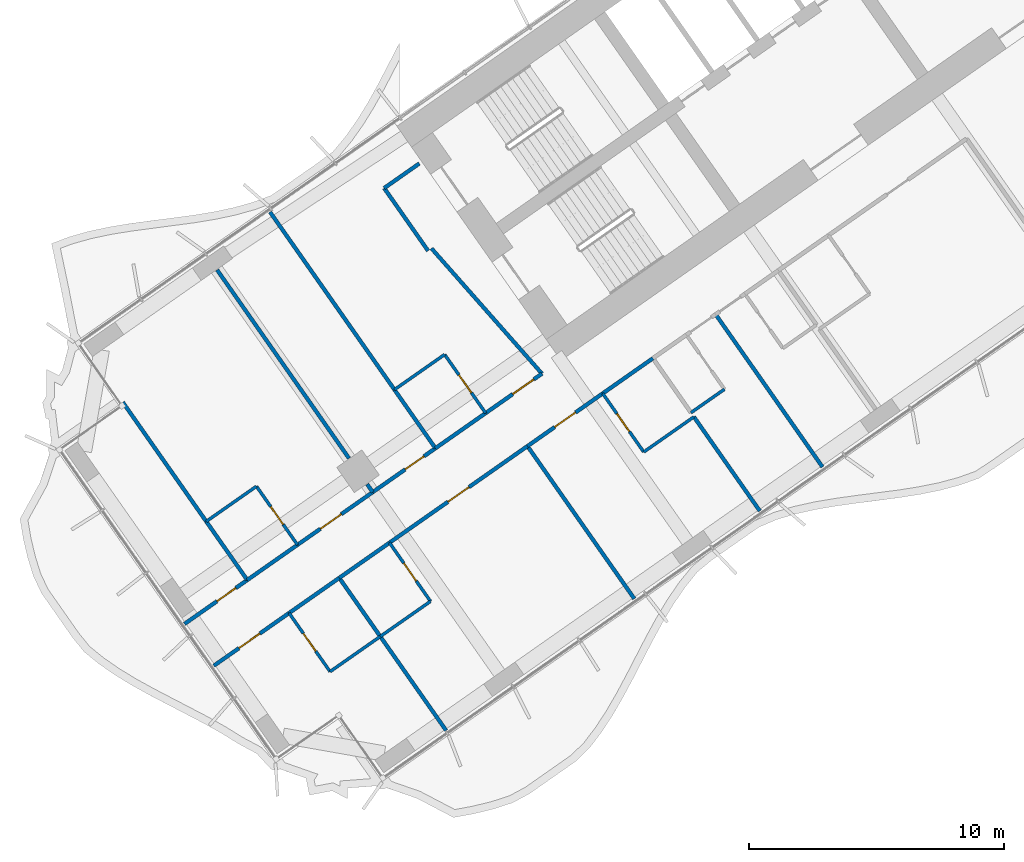
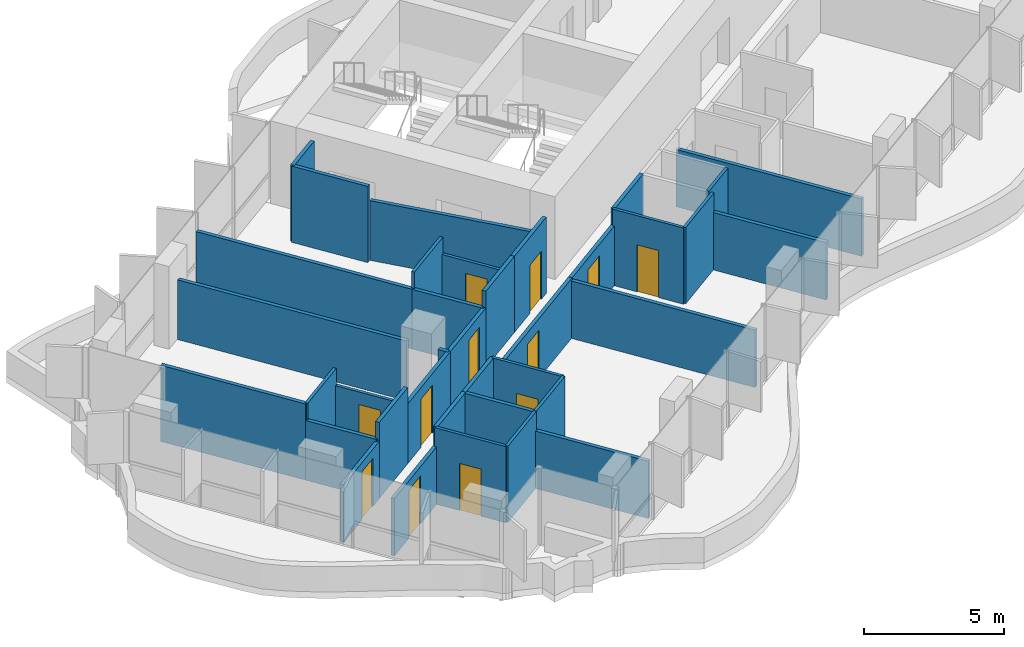
# One storey, part 12 of 23: 37 walls, 12 doors, 12 openings.
"""IFC4 building model written with IfcOpenShell, lengths in metres."""

from ifc_helpers import new_model, si_unit, direction, frame, frame_2d, origin, place, context, subcontext, project, spatial, rectangle, extrude, material, layer, layer_set, type_object, element, fill, save


model = new_model("IFC4")

# Units and contexts
model_context = context("Model", 3, precision=1e-05, world=origin(), true_north=direction((0.0, 1.0)))
body_context = subcontext(model_context, "Body", "Model", "MODEL_VIEW")
ifc_project = project(units=[si_unit("LENGTHUNIT", "METRE"), si_unit("AREAUNIT", "SQUARE_METRE"), si_unit("VOLUMEUNIT", "CUBIC_METRE"), si_unit("PLANEANGLEUNIT", "RADIAN"), si_unit("MASSUNIT", "GRAM", prefix="KILO")], contexts=[model_context])

# Site, building, storey
site_placement = place(None, origin())
site = spatial("IfcSite", under=ifc_project, at=site_placement, CompositionType="ELEMENT")
building_placement = place(site_placement, origin())
building = spatial("IfcBuilding", under=site, at=building_placement, Name="Tel Ilan Convention Tower", CompositionType="ELEMENT")
storey_placement = place(building_placement, frame((0.0, 0.0, 104.89990234375)))
storey = spatial("IfcBuildingStorey", under=building, at=storey_placement, Name="L22", CompositionType="ELEMENT", Elevation=104.89990234375)

# Wall, opening, door
ifc_material_1 = material(Name="Plasterboard on Steel Studs", Category="steel")
ifc_layer_1 = layer(ifc_material_1, 0.14990234375)
ifc_layer_set_1 = layer_set([ifc_layer_1], Name="Fire-rated Partition 150 EI 60")
wall_type_1 = type_object("IfcWallType", Name="Fire-rated Partition 150 EI 60", PredefinedType="PARTITIONING", material=ifc_layer_set_1)
wall_1_placement = place(storey_placement, frame((-24.493408203125, -18.37109375, 0.0), z_axis=(0.0, 0.0, 1.0), x_axis=(0.819176640776, 0.573541307325, 0.0)))
wall_1 = element("IfcWall", 1, at=wall_1_placement, inside=storey, type_object=wall_type_1, Name="Partition 016", PredefinedType="PARTITIONING", context=body_context, shape_type="SweptSolid", body=[
    extrude(rectangle(XDim=2.697509765625, YDim=0.14990234375, at=frame_2d((1.3486328125, 0.0))), origin(), (0.0, 0.0, 1.0), 3.320068359375),
])
opening_1_placement = place(wall_1_placement, frame((1.301025390625, 0.0, 0.0)))
opening_1 = element("IfcOpeningElement", 2, at=opening_1_placement, cuts=wall_1, Name="Opening L21-014", PredefinedType="OPENING", context=body_context, shape_type="SweptSolid", body=[
    extrude(rectangle(XDim=1.0, YDim=2.10009765625, at=frame_2d((0.5, 1.050048828125))), frame((0.0, 0.0849609375, 0.0), z_axis=(0.0, -1.0, 0.0), x_axis=(1.0, 0.0, 0.0)), (0.0, 0.0, 1.0), 0.169921875),
])
ifc_material_2 = material(Name="Timber Door Leaf in Steel Frame", Category="steel")
door_type_1 = type_object("IfcDoorType", Name="Hotel Room Entrance Fire Door 1000x2100", OperationType="NOTDEFINED", PredefinedType="DOOR", material=ifc_material_2)
door_1_placement = place(opening_1_placement, origin())
door_1 = element("IfcDoor", 3, at=door_1_placement, inside=storey, type_object=door_type_1, Name="Door L21-014", OperationType="SINGLE_SWING_RIGHT", OverallHeight=2.10009765625, OverallWidth=1.0, PredefinedType="DOOR", context=body_context, shape_type="SweptSolid", body=[
    extrude(rectangle(XDim=1.0, YDim=2.10009765625, at=frame_2d((0.5, 1.050048828125))), frame((0.0, 0.02490234375, 0.0), z_axis=(0.0, -1.0, 0.0), x_axis=(1.0, 0.0, 0.0)), (0.0, 0.0, 1.0), 0.050048828125),
])
fill(opening_1, door_1)

# Wall
wall_2_placement = place(storey_placement, frame((-26.460205078125, -19.748291015625, 0.0), z_axis=(0.0, 0.0, 1.0), x_axis=(0.819179439794, 0.573537309527, 0.0)))
element("IfcWall", 4, at=wall_2_placement, inside=storey, type_object=wall_type_1, Name="Partition 017", PredefinedType="PARTITIONING", context=body_context, shape_type="SweptSolid", body=[
    extrude(rectangle(XDim=2.404296875, YDim=0.14990234375, at=frame_2d((1.2021484375, 0.0))), origin(), (0.0, 0.0, 1.0), 3.320068359375),
])

# Wall, opening, door
wall_3_placement = place(storey_placement, frame((-28.91748046875, -21.468994140625, 0.0), z_axis=(0.0, 0.0, 1.0), x_axis=(0.81916700466, 0.573555070134, 0.0)))
wall_3 = element("IfcWall", 5, at=wall_3_placement, inside=storey, type_object=wall_type_1, Name="Partition 018", PredefinedType="PARTITIONING", context=body_context, shape_type="SweptSolid", body=[
    extrude(rectangle(XDim=3.00390625, YDim=0.14990234375, at=frame_2d((1.501953125, 0.0))), origin(), (0.0, 0.0, 1.0), 2.60009765625),
])
opening_2_placement = place(wall_3_placement, frame((1.552001953125, 0.0, 0.0)))
opening_2 = element("IfcOpeningElement", 6, at=opening_2_placement, cuts=wall_3, Name="Opening L21-015", PredefinedType="OPENING", context=body_context, shape_type="SweptSolid", body=[
    extrude(rectangle(XDim=0.89990234375, YDim=2.10009765625, at=frame_2d((0.449951171875, 1.050048828125))), frame((0.0, 0.0849609375, 0.0), z_axis=(0.0, -1.0, 0.0), x_axis=(1.0, 0.0, 0.0)), (0.0, 0.0, 1.0), 0.169921875),
])
ifc_material_3 = material(Name="Timber Door Leaf in Steel Frame", Category="steel")
door_type_2 = type_object("IfcDoorType", Name="Room Fire Door 900x2100", OperationType="NOTDEFINED", PredefinedType="DOOR", material=ifc_material_3)
door_2_placement = place(opening_2_placement, origin())
door_2 = element("IfcDoor", 7, at=door_2_placement, inside=storey, type_object=door_type_2, Name="Door L21-015", OperationType="SINGLE_SWING_LEFT", OverallHeight=2.10009765625, OverallWidth=0.89990234375, PredefinedType="DOOR", context=body_context, shape_type="SweptSolid", body=[
    extrude(rectangle(XDim=0.89990234375, YDim=2.10009765625, at=frame_2d((0.449951171875, 1.050048828125))), frame((0.0, 0.02490234375, 0.0), z_axis=(0.0, -1.0, 0.0), x_axis=(1.0, 0.0, 0.0)), (0.0, 0.0, 1.0), 0.050048828125),
])
fill(opening_2, door_2)

wall_4_placement = place(storey_placement, frame((-31.86572265625, -23.533447265625, 0.0), z_axis=(0.0, 0.0, 1.0), x_axis=(0.819145961204, 0.573585123798, 0.0)))
wall_4 = element("IfcWall", 8, at=wall_4_placement, inside=storey, type_object=wall_type_1, Name="Partition 019", PredefinedType="PARTITIONING", context=body_context, shape_type="SweptSolid", body=[
    extrude(rectangle(XDim=3.60302734375, YDim=0.14990234375, at=frame_2d((1.801513671875, 0.0))), origin(), (0.0, 0.0, 1.0), 2.60009765625),
])
opening_3_placement = place(wall_4_placement, frame((1.10107421875, 0.0, 0.0)))
opening_3 = element("IfcOpeningElement", 9, at=opening_3_placement, cuts=wall_4, Name="Opening L21-017", PredefinedType="OPENING", context=body_context, shape_type="SweptSolid", body=[
    extrude(rectangle(XDim=1.0, YDim=2.10009765625, at=frame_2d((0.5, 1.050048828125))), frame((0.0, 0.0849609375, 0.0), z_axis=(0.0, -1.0, 0.0), x_axis=(1.0, 0.0, 0.0)), (0.0, 0.0, 1.0), 0.169921875),
])
door_3_placement = place(opening_3_placement, origin())
door_3 = element("IfcDoor", 10, at=door_3_placement, inside=storey, type_object=door_type_1, Name="Door L21-017", OperationType="SINGLE_SWING_LEFT", OverallHeight=2.10009765625, OverallWidth=1.0, PredefinedType="DOOR", context=body_context, shape_type="SweptSolid", body=[
    extrude(rectangle(XDim=1.0, YDim=2.10009765625, at=frame_2d((0.5, 1.050048828125))), frame((0.0, 0.02490234375, 0.0), z_axis=(0.0, -1.0, 0.0), x_axis=(1.0, 0.0, 0.0)), (0.0, 0.0, 1.0), 0.050048828125),
])
fill(opening_3, door_3)

# Wall
wall_5_placement = place(storey_placement, frame((-33.83251953125, -24.910400390625, 0.0), z_axis=(0.0, 0.0, 1.0), x_axis=(0.819146032251, 0.573585022335, 0.0)))
element("IfcWall", 11, at=wall_5_placement, inside=storey, type_object=wall_type_1, Name="Partition 020", PredefinedType="PARTITIONING", context=body_context, shape_type="SweptSolid", body=[
    extrude(rectangle(XDim=2.404052734375, YDim=0.14990234375, at=frame_2d((1.2021484375, 0.0))), origin(), (0.0, 0.0, 1.0), 3.320068359375),
])

# Wall, opening, door
wall_6_placement = place(storey_placement, frame((-36.288330078125, -26.630126953125, 0.0), z_axis=(0.0, 0.0, 1.0), x_axis=(0.81915932427, 0.57356603932, 0.0)))
wall_6 = element("IfcWall", 12, at=wall_6_placement, inside=storey, type_object=wall_type_1, Name="Partition 021", PredefinedType="PARTITIONING", context=body_context, shape_type="SweptSolid", body=[
    extrude(rectangle(XDim=3.002197265625, YDim=0.14990234375, at=frame_2d((1.5009765625, 0.0))), origin(), (0.0, 0.0, 1.0), 2.5),
])
opening_4_placement = place(wall_6_placement, frame((1.551025390625, 0.0, 0.0)))
opening_4 = element("IfcOpeningElement", 13, at=opening_4_placement, cuts=wall_6, Name="Opening L21-018", PredefinedType="OPENING", context=body_context, shape_type="SweptSolid", body=[
    extrude(rectangle(XDim=0.89990234375, YDim=2.10009765625, at=frame_2d((0.449951171875, 1.050048828125))), frame((0.0, 0.0849609375, 0.0), z_axis=(0.0, -1.0, 0.0), x_axis=(1.0, 0.0, 0.0)), (0.0, 0.0, 1.0), 0.169921875),
])
door_4_placement = place(opening_4_placement, origin())
door_4 = element("IfcDoor", 14, at=door_4_placement, inside=storey, type_object=door_type_2, Name="Door L21-018", OperationType="SINGLE_SWING_RIGHT", OverallHeight=2.10009765625, OverallWidth=0.89990234375, PredefinedType="DOOR", context=body_context, shape_type="SweptSolid", body=[
    extrude(rectangle(XDim=0.89990234375, YDim=2.10009765625, at=frame_2d((0.449951171875, 1.050048828125))), frame((0.0, 0.02490234375, 0.0), z_axis=(0.0, -1.0, 0.0), x_axis=(1.0, 0.0, 0.0)), (0.0, 0.0, 1.0), 0.050048828125),
])
fill(opening_4, door_4)

wall_7_placement = place(storey_placement, frame((-19.904052734375, -17.599365234375, 0.0), z_axis=(0.0, 0.0, 1.0), x_axis=(-0.819145961204, -0.573585123798, 0.0)))
wall_7 = element("IfcWall", 15, at=wall_7_placement, inside=storey, type_object=wall_type_1, Name="Partition 028", PredefinedType="PARTITIONING", context=body_context, shape_type="SweptSolid", body=[
    extrude(rectangle(XDim=3.60302734375, YDim=0.14990234375, at=frame_2d((1.801513671875, 0.0))), origin(), (0.0, 0.0, 1.0), 2.60009765625),
])
opening_5_placement = place(wall_7_placement, frame((1.301025390625, 0.0, 0.0)))
opening_5 = element("IfcOpeningElement", 16, at=opening_5_placement, cuts=wall_7, Name="Opening L21-008", PredefinedType="OPENING", context=body_context, shape_type="SweptSolid", body=[
    extrude(rectangle(XDim=1.0, YDim=2.10009765625, at=frame_2d((0.5, 1.050048828125))), frame((0.0, 0.0849609375, 0.0), z_axis=(0.0, -1.0, 0.0), x_axis=(1.0, 0.0, 0.0)), (0.0, 0.0, 1.0), 0.169921875),
])
door_5_placement = place(opening_5_placement, origin())
door_5 = element("IfcDoor", 17, at=door_5_placement, inside=storey, type_object=door_type_1, Name="Door L21-008", OperationType="SINGLE_SWING_RIGHT", OverallHeight=2.10009765625, OverallWidth=1.0, PredefinedType="DOOR", context=body_context, shape_type="SweptSolid", body=[
    extrude(rectangle(XDim=1.0, YDim=2.10009765625, at=frame_2d((0.5, 1.050048828125))), frame((0.0, 0.02490234375, 0.0), z_axis=(0.0, -1.0, 0.0), x_axis=(1.0, 0.0, 0.0)), (0.0, 0.0, 1.0), 0.050048828125),
])
fill(opening_5, door_5)

# Wall
wall_8_placement = place(storey_placement, frame((-17.937255859375, -16.22216796875, 0.0), z_axis=(0.0, 0.0, 1.0), x_axis=(-0.819146032251, -0.573585022335, 0.0)))
element("IfcWall", 18, at=wall_8_placement, inside=storey, type_object=wall_type_1, Name="Partition 029", PredefinedType="PARTITIONING", context=body_context, shape_type="SweptSolid", body=[
    extrude(rectangle(XDim=2.404052734375, YDim=0.14990234375, at=frame_2d((1.2021484375, 0.0))), origin(), (0.0, 0.0, 1.0), 3.320068359375),
])

# Wall, opening, door
wall_9_placement = place(storey_placement, frame((-22.852294921875, -19.66357421875, 0.0), z_axis=(0.0, 0.0, 1.0), x_axis=(-0.819141582452, -0.573591377113, 0.0)))
wall_9 = element("IfcWall", 19, at=wall_9_placement, inside=storey, type_object=wall_type_1, Name="Partition 030", PredefinedType="PARTITIONING", context=body_context, shape_type="SweptSolid", body=[
    extrude(rectangle(XDim=6.602783203125, YDim=0.14990234375, at=frame_2d((3.30126953125, 0.0))), origin(), (0.0, 0.0, 1.0), 2.60009765625),
])
opening_6_placement = place(wall_9_placement, frame((2.802001953125, 0.0, 0.0)))
opening_6 = element("IfcOpeningElement", 20, at=opening_6_placement, cuts=wall_9, Name="Opening L21-010", PredefinedType="OPENING", context=body_context, shape_type="SweptSolid", body=[
    extrude(rectangle(XDim=1.0, YDim=2.10009765625, at=frame_2d((0.5, 1.050048828125))), frame((0.0, 0.0849609375, 0.0), z_axis=(0.0, -1.0, 0.0), x_axis=(1.0, 0.0, 0.0)), (0.0, 0.0, 1.0), 0.169921875),
])
door_6_placement = place(opening_6_placement, origin())
door_6 = element("IfcDoor", 21, at=door_6_placement, inside=storey, type_object=door_type_1, Name="Door L21-010", OperationType="SINGLE_SWING_LEFT", OverallHeight=2.10009765625, OverallWidth=1.0, PredefinedType="DOOR", context=body_context, shape_type="SweptSolid", body=[
    extrude(rectangle(XDim=1.0, YDim=2.10009765625, at=frame_2d((0.5, 1.050048828125))), frame((0.0, 0.02490234375, 0.0), z_axis=(0.0, -1.0, 0.0), x_axis=(1.0, 0.0, 0.0)), (0.0, 0.0, 1.0), 0.050048828125),
])
fill(opening_6, door_6)

# Wall
wall_10_placement = place(storey_placement, frame((-28.258544921875, -23.44921875, 0.0), z_axis=(0.0, 0.0, 1.0), x_axis=(-0.819146032251, -0.573585022335, 0.0)))
element("IfcWall", 22, at=wall_10_placement, inside=storey, type_object=wall_type_1, Name="Partition 031", PredefinedType="PARTITIONING", context=body_context, shape_type="SweptSolid", body=[
    extrude(rectangle(XDim=2.404052734375, YDim=0.14990234375, at=frame_2d((1.2021484375, 0.0))), origin(), (0.0, 0.0, 1.0), 3.320068359375),
])

# Wall, opening, door
wall_11_placement = place(storey_placement, frame((-32.19140625, -26.202880859375, 0.0), z_axis=(0.0, 0.0, 1.0), x_axis=(-0.819149096931, -0.573580645591, 0.0)))
wall_11 = element("IfcWall", 23, at=wall_11_placement, inside=storey, type_object=wall_type_1, Name="Partition 032", PredefinedType="PARTITIONING", context=body_context, shape_type="SweptSolid", body=[
    extrude(rectangle(XDim=3.600830078125, YDim=0.14990234375, at=frame_2d((1.80029296875, 0.0))), origin(), (0.0, 0.0, 1.0), 2.5),
])
opening_7_placement = place(wall_11_placement, frame((1.40087890625, 0.0, 0.0)))
opening_7 = element("IfcOpeningElement", 24, at=opening_7_placement, cuts=wall_11, Name="Opening L21-012", PredefinedType="OPENING", context=body_context, shape_type="SweptSolid", body=[
    extrude(rectangle(XDim=1.0, YDim=2.10009765625, at=frame_2d((0.5, 1.050048828125))), frame((0.0, 0.0849609375, 0.0), z_axis=(0.0, -1.0, 0.0), x_axis=(1.0, 0.0, 0.0)), (0.0, 0.0, 1.0), 0.169921875),
])
door_7_placement = place(opening_7_placement, origin())
door_7 = element("IfcDoor", 25, at=door_7_placement, inside=storey, type_object=door_type_1, Name="Door L21-012", OperationType="SINGLE_SWING_LEFT", OverallHeight=2.10009765625, OverallWidth=1.0, PredefinedType="DOOR", context=body_context, shape_type="SweptSolid", body=[
    extrude(rectangle(XDim=1.0, YDim=2.10009765625, at=frame_2d((0.5, 1.050048828125))), frame((0.0, 0.02490234375, 0.0), z_axis=(0.0, -1.0, 0.0), x_axis=(1.0, 0.0, 0.0)), (0.0, 0.0, 1.0), 0.050048828125),
])
fill(opening_7, door_7)

# Walls
wall_12_placement = place(storey_placement, frame((-30.224609375, -24.82568359375, 0.0), z_axis=(0.0, 0.0, 1.0), x_axis=(-0.819146032251, -0.573585022335, 0.0)))
element("IfcWall", 26, at=wall_12_placement, inside=storey, type_object=wall_type_1, Name="Partition 033", PredefinedType="PARTITIONING", context=body_context, shape_type="SweptSolid", body=[
    extrude(rectangle(XDim=2.404052734375, YDim=0.14990234375, at=frame_2d((1.2021484375, 0.0))), origin(), (0.0, 0.0, 1.0), 3.320068359375),
])
wall_13_placement = place(storey_placement, frame((-26.74609375, -12.013671875, 0.0), z_axis=(0.0, 0.0, 1.0), x_axis=(-0.573560650686, 0.819163097304, 0.0)))
element("IfcWall", 27, at=wall_13_placement, inside=storey, type_object=wall_type_1, Name="Partition 063", PredefinedType="PARTITIONING", context=body_context, shape_type="SweptSolid", body=[
    extrude(rectangle(XDim=3.0, YDim=0.14990234375, at=frame_2d((1.5, 0.0))), origin(), (0.0, 0.0, 1.0), 3.320068359375),
])
wall_14_placement = place(storey_placement, frame((-28.466796875, -9.55615234375, 0.0), z_axis=(0.0, 0.0, 1.0), x_axis=(0.819109000826, 0.573637903879, 0.0)))
element("IfcWall", 28, at=wall_14_placement, inside=storey, type_object=wall_type_1, Name="Partition 064", PredefinedType="PARTITIONING", context=body_context, shape_type="SweptSolid", body=[
    extrude(rectangle(XDim=1.679931640625, YDim=0.14990234375, at=frame_2d((0.83984375, 0.0))), origin(), (0.0, 0.0, 1.0), 3.320068359375),
])
wall_15_placement = place(storey_placement, frame((-22.2841796875, -16.82666015625, 0.0), z_axis=(0.0, 0.0, 1.0), x_axis=(-0.661545117561, 0.749905365651, 0.0)))
element("IfcWall", 29, at=wall_15_placement, inside=storey, type_object=wall_type_1, Name="Partition 065", PredefinedType="PARTITIONING", context=body_context, shape_type="SweptSolid", body=[
    extrude(rectangle(XDim=6.542724609375, YDim=0.14990234375, at=frame_2d((3.271484375, 0.0))), origin(), (0.0, 0.0, 1.0), 2.60009765625),
])
wall_16_placement = place(storey_placement, frame((-28.06494140625, -17.45263671875, 0.0), z_axis=(0.0, 0.0, 1.0), x_axis=(-0.573593433868, 0.819140142237, 0.0)))
element("IfcWall", 30, at=wall_16_placement, inside=storey, type_object=wall_type_1, Name="Partition 068", PredefinedType="PARTITIONING", context=body_context, shape_type="SweptSolid", body=[
    extrude(rectangle(XDim=8.4990234375, YDim=0.14990234375, at=frame_2d((4.24951171875, 0.0))), origin(), (0.0, 0.0, 1.0), 2.60009765625),
])
wall_17_placement = place(storey_placement, frame((-26.45849609375, -19.747314453125, 0.0), z_axis=(0.0, 0.0, 1.0), x_axis=(-0.573550118428, 0.819170471667, 0.0)))
element("IfcWall", 31, at=wall_17_placement, inside=storey, type_object=wall_type_1, Name="Partition 069", PredefinedType="PARTITIONING", context=body_context, shape_type="SweptSolid", body=[
    extrude(rectangle(XDim=2.800048828125, YDim=0.14990234375, at=frame_2d((1.39990234375, 0.0))), origin(), (0.0, 0.0, 1.0), 2.60009765625),
])
wall_18_placement = place(storey_placement, frame((-28.916015625, -21.468017578125, 0.0), z_axis=(0.0, 0.0, 1.0), x_axis=(-0.572944929411, 0.819593867633, 0.0)))
element("IfcWall", 32, at=wall_18_placement, inside=storey, type_object=wall_type_1, Name="Partition 070", PredefinedType="PARTITIONING", context=body_context, shape_type="SweptSolid", body=[
    extrude(rectangle(XDim=0.380126953125, YDim=0.14990234375, at=frame_2d((0.18994140625, 0.0))), origin(), (0.0, 0.0, 1.0), 2.60009765625),
])
wall_19_placement = place(storey_placement, frame((-29.84521484375, -20.140869140625, 0.0), z_axis=(0.0, 0.0, 1.0), x_axis=(-0.573558725113, 0.819164445546, 0.0)))
element("IfcWall", 33, at=wall_19_placement, inside=storey, type_object=wall_type_1, Name="Partition 071", PredefinedType="PARTITIONING", context=body_context, shape_type="SweptSolid", body=[
    extrude(rectangle(XDim=9.010009765625, YDim=0.14990234375, at=frame_2d((4.5048828125, 0.0))), origin(), (0.0, 0.0, 1.0), 2.60009765625),
])
wall_20_placement = place(storey_placement, frame((-35.4375, -22.614990234375, 0.0), z_axis=(0.0, 0.0, 1.0), x_axis=(-0.573568678046, 0.819157476658, 0.0)))
element("IfcWall", 34, at=wall_20_placement, inside=storey, type_object=wall_type_1, Name="Partition 074", PredefinedType="PARTITIONING", context=body_context, shape_type="SweptSolid", body=[
    extrude(rectangle(XDim=5.701171875, YDim=0.14990234375, at=frame_2d((2.8505859375, 0.0))), origin(), (0.0, 0.0, 1.0), 3.320068359375),
])
wall_21_placement = place(storey_placement, frame((-33.830810546875, -24.909423828125, 0.0), z_axis=(0.0, 0.0, 1.0), x_axis=(-0.573550118428, 0.819170471667, 0.0)))
element("IfcWall", 35, at=wall_21_placement, inside=storey, type_object=wall_type_1, Name="Partition 075", PredefinedType="PARTITIONING", context=body_context, shape_type="SweptSolid", body=[
    extrude(rectangle(XDim=2.800048828125, YDim=0.14990234375, at=frame_2d((1.39990234375, 0.0))), origin(), (0.0, 0.0, 1.0), 2.60009765625),
])
wall_22_placement = place(storey_placement, frame((-11.29443359375, -20.482421875, 0.0), z_axis=(0.0, 0.0, 1.0), x_axis=(-0.573572324301, 0.819154923562, 0.0)))
element("IfcWall", 36, at=wall_22_placement, inside=storey, type_object=wall_type_1, Name="Partition 082", PredefinedType="PARTITIONING", context=body_context, shape_type="SweptSolid", body=[
    extrude(rectangle(XDim=7.2998046875, YDim=0.14990234375, at=frame_2d((3.64990234375, 0.0))), origin(), (0.0, 0.0, 1.0), 2.5),
])
wall_23_placement = place(storey_placement, frame((-13.751708984375, -22.203125, 0.0), z_axis=(0.0, 0.0, 1.0), x_axis=(-0.573593387921, 0.81914017441, 0.0)))
element("IfcWall", 37, at=wall_23_placement, inside=storey, type_object=wall_type_1, Name="Partition 085", PredefinedType="PARTITIONING", context=body_context, shape_type="SweptSolid", body=[
    extrude(rectangle(XDim=4.5009765625, YDim=0.14990234375, at=frame_2d((2.25048828125, 0.0))), origin(), (0.0, 0.0, 1.0), 2.5),
])
wall_24_placement = place(storey_placement, frame((-18.666748046875, -25.64453125, 0.0), z_axis=(0.0, 0.0, 1.0), x_axis=(-0.573572324301, 0.819154923562, 0.0)))
element("IfcWall", 38, at=wall_24_placement, inside=storey, type_object=wall_type_1, Name="Partition 089", PredefinedType="PARTITIONING", context=body_context, shape_type="SweptSolid", body=[
    extrude(rectangle(XDim=7.2998046875, YDim=0.14990234375, at=frame_2d((3.64990234375, 0.0))), origin(), (0.0, 0.0, 1.0), 2.5),
])
wall_25_placement = place(storey_placement, frame((-26.0390625, -30.806640625, 0.0), z_axis=(0.0, 0.0, 1.0), x_axis=(-0.573589807488, 0.819142681555, 0.0)))
element("IfcWall", 39, at=wall_25_placement, inside=storey, type_object=wall_type_1, Name="Partition 092", PredefinedType="PARTITIONING", context=body_context, shape_type="SweptSolid", body=[
    extrude(rectangle(XDim=4.4990234375, YDim=0.14990234375, at=frame_2d((2.24951171875, 0.0))), origin(), (0.0, 0.0, 1.0), 2.5),
])
wall_26_placement = place(storey_placement, frame((-28.6201171875, -27.12060546875, 0.0), z_axis=(0.0, 0.0, 1.0), x_axis=(-0.573608623498, 0.819129505664, 0.0)))
element("IfcWall", 40, at=wall_26_placement, inside=storey, type_object=wall_type_1, Name="Partition 093", PredefinedType="PARTITIONING", context=body_context, shape_type="SweptSolid", body=[
    extrude(rectangle(XDim=2.800048828125, YDim=0.14990234375, at=frame_2d((1.39990234375, 0.0))), origin(), (0.0, 0.0, 1.0), 3.320068359375),
])
ifc_material_4 = material(Name="Plasterboard on Steel Studs", Category="steel")
ifc_layer_2 = layer(ifc_material_4, 0.1201171875)
ifc_layer_set_2 = layer_set([ifc_layer_2], Name="Moisture-resistant Partition 120")
wall_type_2 = type_object("IfcWallType", Name="Moisture-resistant Partition 120", PredefinedType="PARTITIONING", material=ifc_layer_set_2)
wall_27_placement = place(storey_placement, frame((-26.09912109375, -16.076171875, 0.0), z_axis=(0.0, 0.0, 1.0), x_axis=(-0.819155442668, -0.573571582932, 0.0)))
element("IfcWall", 41, at=wall_27_placement, inside=storey, type_object=wall_type_2, Name="Partition 066", PredefinedType="PARTITIONING", context=body_context, shape_type="SweptSolid", body=[
    extrude(rectangle(XDim=2.39990234375, YDim=0.1201171875, at=frame_2d((1.199951171875, 0.0))), origin(), (0.0, 0.0, 1.0), 3.320068359375),
])

# Wall, opening, door
wall_28_placement = place(storey_placement, frame((-24.49169921875, -18.3701171875, 0.0), z_axis=(0.0, 0.0, 1.0), x_axis=(-0.573550118428, 0.819170471667, 0.0)))
wall_28 = element("IfcWall", 42, at=wall_28_placement, inside=storey, type_object=wall_type_2, Name="Partition 067", PredefinedType="PARTITIONING", context=body_context, shape_type="SweptSolid", body=[
    extrude(rectangle(XDim=2.800048828125, YDim=0.1201171875, at=frame_2d((1.39990234375, 0.0))), origin(), (0.0, 0.0, 1.0), 2.60009765625),
])
opening_8_placement = place(wall_28_placement, frame((0.97509765625, 0.0, 0.0)))
opening_8 = element("IfcOpeningElement", 43, at=opening_8_placement, cuts=wall_28, Name="Opening L21-013", PredefinedType="OPENING", context=body_context, shape_type="SweptSolid", body=[
    extrude(rectangle(XDim=0.85009765625, YDim=2.050048828125, at=frame_2d((0.425048828125, 1.02490234375))), frame((0.0, 0.070068359375, 0.0), z_axis=(0.0, -1.0, 0.0), x_axis=(1.0, 0.0, 0.0)), (0.0, 0.0, 1.0), 0.14013671875),
])
ifc_material_5 = material(Name="Timber Door Leaf in Steel Frame", Category="steel")
door_type_3 = type_object("IfcDoorType", Name="Bathroom Timber Door 850x2050", OperationType="NOTDEFINED", PredefinedType="DOOR", material=ifc_material_5)
door_8_placement = place(opening_8_placement, origin())
door_8 = element("IfcDoor", 44, at=door_8_placement, inside=storey, type_object=door_type_3, Name="Door L21-013", OperationType="SINGLE_SWING_LEFT", OverallHeight=2.050048828125, OverallWidth=0.85009765625, PredefinedType="DOOR", context=body_context, shape_type="SweptSolid", body=[
    extrude(rectangle(XDim=0.85009765625, YDim=2.050048828125, at=frame_2d((0.425048828125, 1.02490234375))), frame((0.0, 0.02490234375, 0.0), z_axis=(0.0, -1.0, 0.0), x_axis=(1.0, 0.0, 0.0)), (0.0, 0.0, 1.0), 0.050048828125),
])
fill(opening_8, door_8)

wall_29_placement = place(storey_placement, frame((-31.864013671875, -23.5322265625, 0.0), z_axis=(0.0, 0.0, 1.0), x_axis=(-0.573550118428, 0.819170471667, 0.0)))
wall_29 = element("IfcWall", 45, at=wall_29_placement, inside=storey, type_object=wall_type_2, Name="Partition 072", PredefinedType="PARTITIONING", context=body_context, shape_type="SweptSolid", body=[
    extrude(rectangle(XDim=2.800048828125, YDim=0.1201171875, at=frame_2d((1.39990234375, 0.0))), origin(), (0.0, 0.0, 1.0), 2.60009765625),
])
opening_9_placement = place(wall_29_placement, frame((0.97509765625, 0.0, 0.0)))
opening_9 = element("IfcOpeningElement", 46, at=opening_9_placement, cuts=wall_29, Name="Opening L21-016", PredefinedType="OPENING", context=body_context, shape_type="SweptSolid", body=[
    extrude(rectangle(XDim=0.85009765625, YDim=2.050048828125, at=frame_2d((0.425048828125, 1.02490234375))), frame((0.0, 0.070068359375, 0.0), z_axis=(0.0, -1.0, 0.0), x_axis=(1.0, 0.0, 0.0)), (0.0, 0.0, 1.0), 0.14013671875),
])
door_9_placement = place(opening_9_placement, origin())
door_9 = element("IfcDoor", 47, at=door_9_placement, inside=storey, type_object=door_type_3, Name="Door L21-016", OperationType="SINGLE_SWING_RIGHT", OverallHeight=2.050048828125, OverallWidth=0.85009765625, PredefinedType="DOOR", context=body_context, shape_type="SweptSolid", body=[
    extrude(rectangle(XDim=0.85009765625, YDim=2.050048828125, at=frame_2d((0.425048828125, 1.02490234375))), frame((0.0, 0.02490234375, 0.0), z_axis=(0.0, -1.0, 0.0), x_axis=(1.0, 0.0, 0.0)), (0.0, 0.0, 1.0), 0.050048828125),
])
fill(opening_9, door_9)

# Walls
wall_30_placement = place(storey_placement, frame((-33.471435546875, -21.23828125, 0.0), z_axis=(0.0, 0.0, 1.0), x_axis=(-0.819141114317, -0.573592045652, 0.0)))
element("IfcWall", 48, at=wall_30_placement, inside=storey, type_object=wall_type_2, Name="Partition 073", PredefinedType="PARTITIONING", context=body_context, shape_type="SweptSolid", body=[
    extrude(rectangle(XDim=2.400146484375, YDim=0.1201171875, at=frame_2d((1.2001953125, 0.0))), origin(), (0.0, 0.0, 1.0), 3.320068359375),
])
wall_31_placement = place(storey_placement, frame((-16.447021484375, -18.35400390625, 0.0), z_axis=(0.0, 0.0, 1.0), x_axis=(0.819131543282, 0.57360571371, 0.0)))
element("IfcWall", 49, at=wall_31_placement, inside=storey, type_object=wall_type_2, Name="Partition 083", PredefinedType="PARTITIONING", context=body_context, shape_type="SweptSolid", body=[
    extrude(rectangle(XDim=1.599853515625, YDim=0.1201171875, at=frame_2d((0.7998046875, 0.0))), origin(), (0.0, 0.0, 1.0), 3.320068359375),
])

# Wall, opening, door
wall_32_placement = place(storey_placement, frame((-19.90576171875, -17.600341796875, 0.0), z_axis=(0.0, 0.0, 1.0), x_axis=(0.573550118428, -0.819170471667, 0.0)))
wall_32 = element("IfcWall", 50, at=wall_32_placement, inside=storey, type_object=wall_type_2, Name="Partition 087", PredefinedType="PARTITIONING", context=body_context, shape_type="SweptSolid", body=[
    extrude(rectangle(XDim=2.800048828125, YDim=0.1201171875, at=frame_2d((1.39990234375, 0.0))), origin(), (0.0, 0.0, 1.0), 3.320068359375),
])
opening_10_placement = place(wall_32_placement, frame((0.97509765625, 0.0, 0.0)))
opening_10 = element("IfcOpeningElement", 51, at=opening_10_placement, cuts=wall_32, Name="Opening L21-007", PredefinedType="OPENING", context=body_context, shape_type="SweptSolid", body=[
    extrude(rectangle(XDim=0.85009765625, YDim=2.050048828125, at=frame_2d((0.425048828125, 1.02490234375))), frame((0.0, 0.070068359375, 0.0), z_axis=(0.0, -1.0, 0.0), x_axis=(1.0, 0.0, 0.0)), (0.0, 0.0, 1.0), 0.14013671875),
])
door_10_placement = place(opening_10_placement, origin())
door_10 = element("IfcDoor", 52, at=door_10_placement, inside=storey, type_object=door_type_3, Name="Door L21-007", OperationType="SINGLE_SWING_LEFT", OverallHeight=2.050048828125, OverallWidth=0.85009765625, PredefinedType="DOOR", context=body_context, shape_type="SweptSolid", body=[
    extrude(rectangle(XDim=0.85009765625, YDim=2.050048828125, at=frame_2d((0.425048828125, 1.02490234375))), frame((0.0, 0.02490234375, 0.0), z_axis=(0.0, -1.0, 0.0), x_axis=(1.0, 0.0, 0.0)), (0.0, 0.0, 1.0), 0.050048828125),
])
fill(opening_10, door_10)

# Walls
wall_33_placement = place(storey_placement, frame((-18.29833984375, -19.894287109375, 0.0), z_axis=(0.0, 0.0, 1.0), x_axis=(0.819141114317, 0.573592045652, 0.0)))
element("IfcWall", 53, at=wall_33_placement, inside=storey, type_object=wall_type_2, Name="Partition 088", PredefinedType="PARTITIONING", context=body_context, shape_type="SweptSolid", body=[
    extrude(rectangle(XDim=2.400146484375, YDim=0.1201171875, at=frame_2d((1.2001953125, 0.0))), origin(), (0.0, 0.0, 1.0), 3.320068359375),
])
wall_34_placement = place(storey_placement, frame((-28.61962890625, -27.121337890625, 0.0), z_axis=(0.0, 0.0, 1.0), x_axis=(0.819188907105, 0.573523787192, 0.0)))
element("IfcWall", 54, at=wall_34_placement, inside=storey, type_object=wall_type_2, Name="Partition 090", PredefinedType="PARTITIONING", context=body_context, shape_type="SweptSolid", body=[
    extrude(rectangle(XDim=2.39990234375, YDim=0.1201171875, at=frame_2d((1.199951171875, 0.0))), origin(), (0.0, 0.0, 1.0), 3.320068359375),
])

# Wall, opening, door
wall_35_placement = place(storey_placement, frame((-26.6533203125, -25.743408203125, 0.0), z_axis=(0.0, 0.0, 1.0), x_axis=(-0.573608623498, 0.819129505664, 0.0)))
wall_35 = element("IfcWall", 55, at=wall_35_placement, inside=storey, type_object=wall_type_2, Name="Partition 091", PredefinedType="PARTITIONING", context=body_context, shape_type="SweptSolid", body=[
    extrude(rectangle(XDim=2.800048828125, YDim=0.1201171875, at=frame_2d((1.39990234375, 0.0))), origin(), (0.0, 0.0, 1.0), 3.320068359375),
])
opening_11_placement = place(wall_35_placement, frame((0.97509765625, 0.0, 0.0)))
opening_11 = element("IfcOpeningElement", 56, at=opening_11_placement, cuts=wall_35, Name="Opening L21-009", PredefinedType="OPENING", context=body_context, shape_type="SweptSolid", body=[
    extrude(rectangle(XDim=0.85009765625, YDim=2.050048828125, at=frame_2d((0.425048828125, 1.02490234375))), frame((0.0, 0.070068359375, 0.0), z_axis=(0.0, -1.0, 0.0), x_axis=(1.0, 0.0, 0.0)), (0.0, 0.0, 1.0), 0.14013671875),
])
door_11_placement = place(opening_11_placement, origin())
door_11 = element("IfcDoor", 57, at=door_11_placement, inside=storey, type_object=door_type_3, Name="Door L21-009", OperationType="SINGLE_SWING_LEFT", OverallHeight=2.050048828125, OverallWidth=0.85009765625, PredefinedType="DOOR", context=body_context, shape_type="SweptSolid", body=[
    extrude(rectangle(XDim=0.85009765625, YDim=2.050048828125, at=frame_2d((0.425048828125, 1.02490234375))), frame((0.0, 0.02490234375, 0.0), z_axis=(0.0, -1.0, 0.0), x_axis=(1.0, 0.0, 0.0)), (0.0, 0.0, 1.0), 0.050048828125),
])
fill(opening_11, door_11)

wall_36_placement = place(storey_placement, frame((-32.193115234375, -26.2041015625, 0.0), z_axis=(0.0, 0.0, 1.0), x_axis=(0.573608623498, -0.819129505664, 0.0)))
wall_36 = element("IfcWall", 58, at=wall_36_placement, inside=storey, type_object=wall_type_2, Name="Partition 094", PredefinedType="PARTITIONING", context=body_context, shape_type="SweptSolid", body=[
    extrude(rectangle(XDim=2.800048828125, YDim=0.1201171875, at=frame_2d((1.39990234375, 0.0))), origin(), (0.0, 0.0, 1.0), 3.320068359375),
])
opening_12_placement = place(wall_36_placement, frame((0.97509765625, 0.0, 0.0)))
opening_12 = element("IfcOpeningElement", 59, at=opening_12_placement, cuts=wall_36, Name="Opening L21-011", PredefinedType="OPENING", context=body_context, shape_type="SweptSolid", body=[
    extrude(rectangle(XDim=0.85009765625, YDim=2.050048828125, at=frame_2d((0.425048828125, 1.02490234375))), frame((0.0, 0.070068359375, 0.0), z_axis=(0.0, -1.0, 0.0), x_axis=(1.0, 0.0, 0.0)), (0.0, 0.0, 1.0), 0.14013671875),
])
door_12_placement = place(opening_12_placement, origin())
door_12 = element("IfcDoor", 60, at=door_12_placement, inside=storey, type_object=door_type_3, Name="Door L21-011", OperationType="SINGLE_SWING_LEFT", OverallHeight=2.050048828125, OverallWidth=0.85009765625, PredefinedType="DOOR", context=body_context, shape_type="SweptSolid", body=[
    extrude(rectangle(XDim=0.85009765625, YDim=2.050048828125, at=frame_2d((0.425048828125, 1.02490234375))), frame((0.0, 0.02490234375, 0.0), z_axis=(0.0, -1.0, 0.0), x_axis=(1.0, 0.0, 0.0)), (0.0, 0.0, 1.0), 0.050048828125),
])
fill(opening_12, door_12)

# Wall
wall_37_placement = place(storey_placement, frame((-30.585693359375, -28.498046875, 0.0), z_axis=(0.0, 0.0, 1.0), x_axis=(0.819141114317, 0.573592045652, 0.0)))
element("IfcWall", 61, at=wall_37_placement, inside=storey, type_object=wall_type_2, Name="Partition 095", PredefinedType="PARTITIONING", context=body_context, shape_type="SweptSolid", body=[
    extrude(rectangle(XDim=2.400146484375, YDim=0.1201171875, at=frame_2d((1.2001953125, 0.0))), origin(), (0.0, 0.0, 1.0), 3.320068359375),
])

save(model, "model.ifc")
